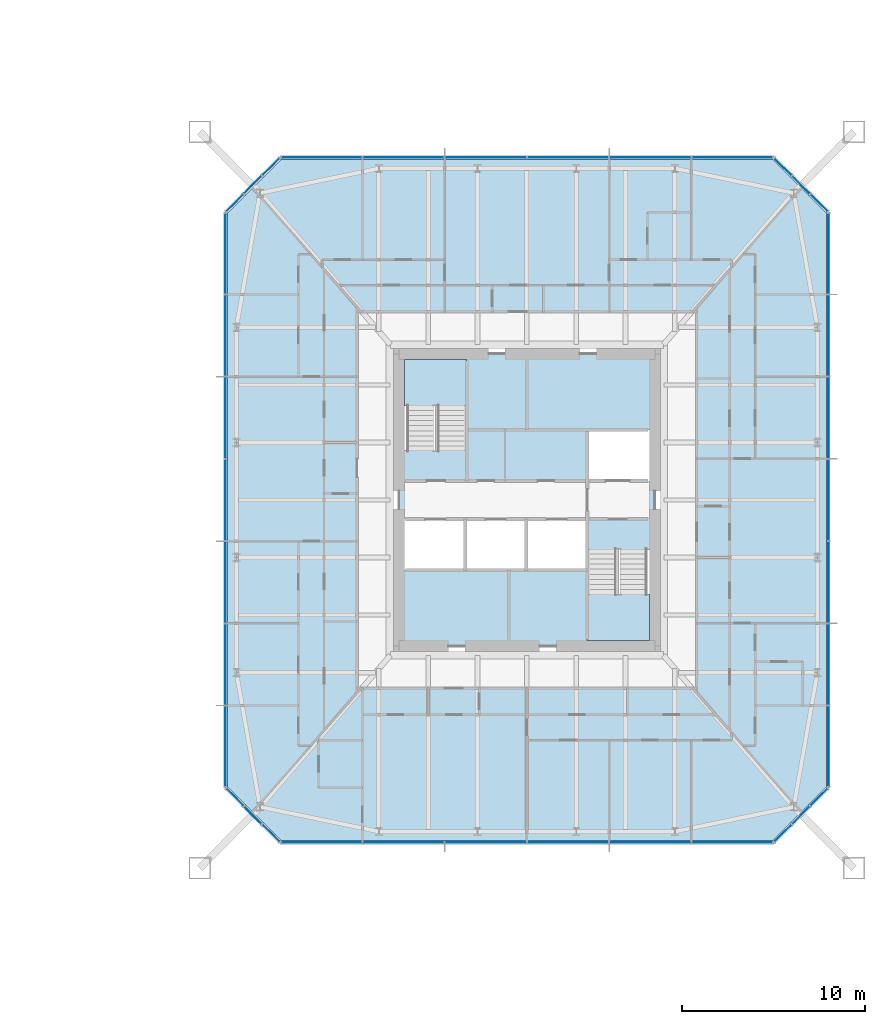
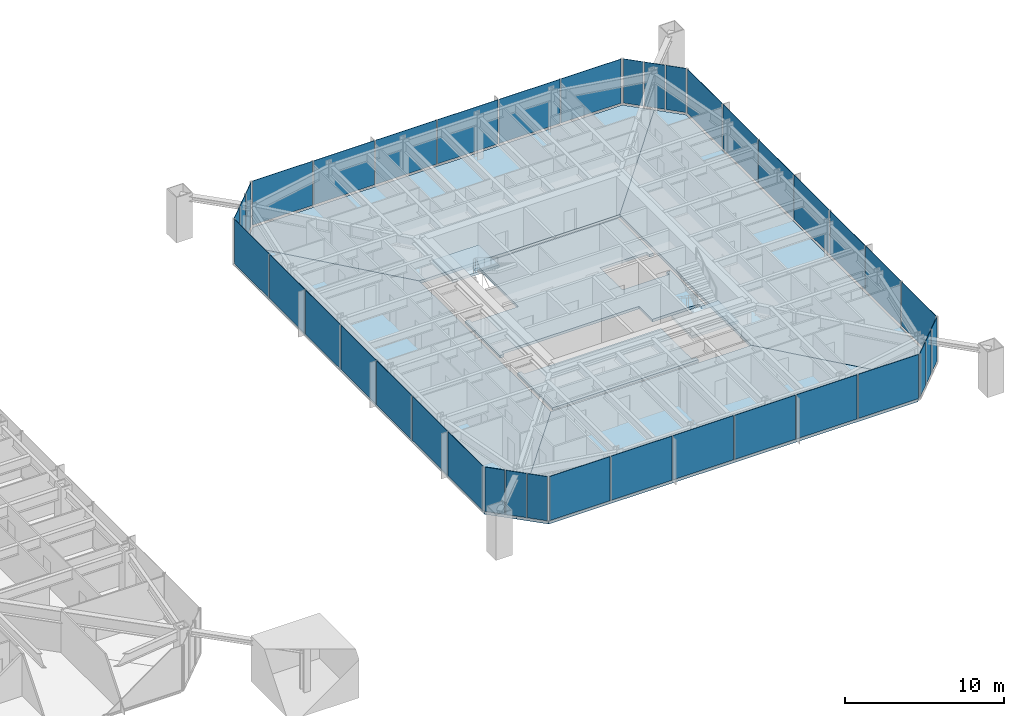
# One storey, part 13 of 26: 38 plates, 8 slabs, 10 elements without a shape of their own.
"""IFC4 building model written with IfcOpenShell, lengths in metres."""

from ifc_helpers import new_model, si_unit, direction, frame, origin, origin_2d, place, context, subcontext, project, spatial, polyline, rectangle, outline, extrude, material, layer, layer_set, constituent, constituent_set, type_object, element, aggregate, save


model = new_model("IFC4")

# Units and contexts
model_context = context("Model", 3, precision=1e-05, world=origin(), true_north=direction((0.0, 1.0)))
body_context = subcontext(model_context, "Body", "Model", "MODEL_VIEW")
ifc_project = project(units=[si_unit("LENGTHUNIT", "METRE"), si_unit("AREAUNIT", "SQUARE_METRE"), si_unit("VOLUMEUNIT", "CUBIC_METRE"), si_unit("PLANEANGLEUNIT", "RADIAN"), si_unit("MASSUNIT", "GRAM", prefix="KILO")], contexts=[model_context])

# Site, building, storey
site_placement = place(None, origin())
site = spatial("IfcSite", under=ifc_project, at=site_placement, CompositionType="ELEMENT")
building_placement = place(site_placement, origin())
building = spatial("IfcBuilding", under=site, at=building_placement, Name="Iwan Alto Co-Living Towers", CompositionType="ELEMENT")
storey_placement = place(building_placement, frame((0.0, 0.0, 32.5)))
storey = spatial("IfcBuildingStorey", under=building, at=storey_placement, Name="L08", CompositionType="ELEMENT", Elevation=32.5)

# Slabs
ifc_material_1 = material(Name="Concrete f'c 30 MPa", Category="concrete")
ifc_layer_1 = layer(ifc_material_1, 0.199951171875)
ifc_layer_set_1 = layer_set([ifc_layer_1], Name="CORE FLOOR SLAB 200")
slab_type_1 = type_object("IfcSlabType", Name="CORE FLOOR SLAB 200", PredefinedType="FLOOR", material=ifc_layer_set_1)
slab_1_placement = place(storey_placement, frame((0.0, 0.0, -0.199951171875)))
element("IfcSlab", 1, at=slab_1_placement, inside=storey, type_object=slab_type_1, Name="T2 core floor L08", PredefinedType="FLOOR", context=body_context, shape_type="SweptSolid", body=[
    extrude(outline(polyline([(70.0, -3.030029296875), (69.699951171875, -3.030029296875), (69.699951171875, -2.719970703125), (66.300048828125, -2.719970703125), (66.300048828125, -1.050048828125), (62.967041015625, -1.050048828125), (59.633056640625, -1.050048828125), (56.300048828125, -1.050048828125), (56.300048828125, -1.360107421875), (56.0, -1.360107421875), (56.0, 3.030029296875), (56.300048828125, 3.030029296875), (56.300048828125, 2.719970703125), (59.699951171875, 2.719970703125), (59.699951171875, 7.699951171875), (59.389892578125, 7.699951171875), (59.389892578125, 8.0), (70.0, 8.0), (70.0, 3.5400390625), (69.699951171875, 3.5400390625), (69.699951171875, 3.85009765625), (66.300048828125, 3.85009765625), (66.300048828125, 1.050048828125), (69.699951171875, 1.050048828125), (69.699951171875, 1.360107421875), (70.0, 1.360107421875), (70.0, -3.030029296875)])), origin(), (0.0, 0.0, 1.0), 0.199951171875),
])
slab_2_placement = place(storey_placement, frame((0.0, 0.0, -0.199951171875)))
element("IfcSlab", 2, at=slab_2_placement, inside=storey, type_object=slab_type_1, Name="T2 core floor L08", PredefinedType="FLOOR", context=body_context, shape_type="SweptSolid", body=[
    extrude(outline(polyline([(62.967041015625, -3.85009765625), (66.300048828125, -3.85009765625), (66.300048828125, -7.699951171875), (66.610107421875, -7.699951171875), (66.610107421875, -8.0), (56.0, -8.0), (56.0, -3.5400390625), (56.300048828125, -3.5400390625), (56.300048828125, -3.85009765625), (59.633056640625, -3.85009765625), (62.967041015625, -3.85009765625)])), origin(), (0.0, 0.0, 1.0), 0.199951171875),
])

# Curtain wall, plates
ifc_material_2 = material(Name="Bronze aluminium unitised frame", Category="aluminium")
curtain_wall_type_1 = type_object("IfcCurtainWallType", Name="CURTAIN WALL CW-C", PredefinedType="NOTDEFINED", material=ifc_material_2)
curtain_wall_1_placement = place(storey_placement, origin())
curtain_wall_1 = element("IfcCurtainWall", 3, at=curtain_wall_1_placement, inside=storey, type_object=curtain_wall_type_1, Name="T2 curtain wall S L08", PredefinedType="NOTDEFINED")
ifc_material_3 = material(Name="Bronze-tinted insulating glass", Category="glass")
ifc_layer_2 = layer(ifc_material_3, 0.031982421875)
ifc_layer_set_2 = layer_set([ifc_layer_2], Name="CW-C PANEL TINTED IGU 32")
plate_type_1 = type_object("IfcPlateType", Name="CW-C PANEL TINTED IGU 32", PredefinedType="CURTAIN_PANEL", material=ifc_layer_set_2)
plate_1_placement = place(storey_placement, frame((51.77001953125, -18.75, 0.10009765625), z_axis=(0.0, 0.0, 1.0), x_axis=(1.0, 0.0, 0.0)))
plate_1 = element("IfcPlate", 4, at=plate_1_placement, type_object=plate_type_1, Name="CW-C panel 1.1", PredefinedType="CURTAIN_PANEL", context=body_context, shape_type="SweptSolid", body=[
    extrude(rectangle(XDim=4.3798828125, YDim=0.031982421875, at=origin_2d()), origin(), (0.0, 0.0, 1.0), 3.39990234375),
])
plate_2_placement = place(storey_placement, frame((56.25, -18.75, 0.10009765625), z_axis=(0.0, 0.0, 1.0), x_axis=(1.0, 0.0, 0.0)))
plate_2 = element("IfcPlate", 5, at=plate_2_placement, type_object=plate_type_1, Name="CW-C panel 2.1", PredefinedType="CURTAIN_PANEL", context=body_context, shape_type="SweptSolid", body=[
    extrude(rectangle(XDim=4.419921875, YDim=0.031982421875, at=origin_2d()), origin(), (0.0, 0.0, 1.0), 3.39990234375),
])
plate_3_placement = place(storey_placement, frame((60.75, -18.75, 0.10009765625), z_axis=(0.0, 0.0, 1.0), x_axis=(1.0, 0.0, 0.0)))
plate_3 = element("IfcPlate", 6, at=plate_3_placement, type_object=plate_type_1, Name="CW-C panel 3.1", PredefinedType="CURTAIN_PANEL", context=body_context, shape_type="SweptSolid", body=[
    extrude(rectangle(XDim=4.419921875, YDim=0.031982421875, at=origin_2d()), origin(), (0.0, 0.0, 1.0), 3.39990234375),
])
plate_4_placement = place(storey_placement, frame((65.25, -18.75, 0.10009765625), z_axis=(0.0, 0.0, 1.0), x_axis=(1.0, 0.0, 0.0)))
plate_4 = element("IfcPlate", 7, at=plate_4_placement, type_object=plate_type_1, Name="CW-C panel 4.1", PredefinedType="CURTAIN_PANEL", context=body_context, shape_type="SweptSolid", body=[
    extrude(rectangle(XDim=4.419921875, YDim=0.031982421875, at=origin_2d()), origin(), (0.0, 0.0, 1.0), 3.39990234375),
])
plate_5_placement = place(storey_placement, frame((69.75, -18.75, 0.10009765625), z_axis=(0.0, 0.0, 1.0), x_axis=(1.0, 0.0, 0.0)))
plate_5 = element("IfcPlate", 8, at=plate_5_placement, type_object=plate_type_1, Name="CW-C panel 5.1", PredefinedType="CURTAIN_PANEL", context=body_context, shape_type="SweptSolid", body=[
    extrude(rectangle(XDim=4.419921875, YDim=0.031982421875, at=origin_2d()), origin(), (0.0, 0.0, 1.0), 3.39990234375),
])
plate_6_placement = place(storey_placement, frame((74.22998046875, -18.75, 0.10009765625), z_axis=(0.0, 0.0, 1.0), x_axis=(1.0, 0.0, 0.0)))
plate_6 = element("IfcPlate", 9, at=plate_6_placement, type_object=plate_type_1, Name="CW-C panel 6.1", PredefinedType="CURTAIN_PANEL", context=body_context, shape_type="SweptSolid", body=[
    extrude(rectangle(XDim=4.3798828125, YDim=0.031982421875, at=origin_2d()), origin(), (0.0, 0.0, 1.0), 3.39990234375),
])
aggregate(curtain_wall_1, [plate_1, plate_2, plate_3, plate_4, plate_5, plate_6])

curtain_wall_2_placement = place(storey_placement, origin())
curtain_wall_2 = element("IfcCurtainWall", 10, at=curtain_wall_2_placement, inside=storey, type_object=curtain_wall_type_1, Name="T2 curtain wall E L08", PredefinedType="NOTDEFINED")
plate_7_placement = place(storey_placement, frame((79.5, -13.47998046875, 0.10009765625), z_axis=(0.0, 0.0, 1.0), x_axis=(0.0, 1.0, 0.0)))
plate_7 = element("IfcPlate", 11, at=plate_7_placement, type_object=plate_type_1, Name="CW-C panel 1.1", PredefinedType="CURTAIN_PANEL", context=body_context, shape_type="SweptSolid", body=[
    extrude(rectangle(XDim=4.3798828125, YDim=0.031982421875, at=origin_2d()), origin(), (0.0, 0.0, 1.0), 3.39990234375),
])
plate_8_placement = place(storey_placement, frame((79.5, -9.0, 0.10009765625), z_axis=(0.0, 0.0, 1.0), x_axis=(0.0, 1.0, 0.0)))
plate_8 = element("IfcPlate", 12, at=plate_8_placement, type_object=plate_type_1, Name="CW-C panel 2.1", PredefinedType="CURTAIN_PANEL", context=body_context, shape_type="SweptSolid", body=[
    extrude(rectangle(XDim=4.419921875, YDim=0.031982421875, at=origin_2d()), origin(), (0.0, 0.0, 1.0), 3.39990234375),
])
plate_9_placement = place(storey_placement, frame((79.5, -4.5, 0.10009765625), z_axis=(0.0, 0.0, 1.0), x_axis=(0.0, 1.0, 0.0)))
plate_9 = element("IfcPlate", 13, at=plate_9_placement, type_object=plate_type_1, Name="CW-C panel 3.1", PredefinedType="CURTAIN_PANEL", context=body_context, shape_type="SweptSolid", body=[
    extrude(rectangle(XDim=4.419921875, YDim=0.031982421875, at=origin_2d()), origin(), (0.0, 0.0, 1.0), 3.39990234375),
])
plate_10_placement = place(storey_placement, frame((79.5, 0.0, 0.10009765625), z_axis=(0.0, 0.0, 1.0), x_axis=(0.0, 1.0, 0.0)))
plate_10 = element("IfcPlate", 14, at=plate_10_placement, type_object=plate_type_1, Name="CW-C panel 4.1", PredefinedType="CURTAIN_PANEL", context=body_context, shape_type="SweptSolid", body=[
    extrude(rectangle(XDim=4.419921875, YDim=0.031982421875, at=origin_2d()), origin(), (0.0, 0.0, 1.0), 3.39990234375),
])
plate_11_placement = place(storey_placement, frame((79.5, 4.5, 0.10009765625), z_axis=(0.0, 0.0, 1.0), x_axis=(0.0, 1.0, 0.0)))
plate_11 = element("IfcPlate", 15, at=plate_11_placement, type_object=plate_type_1, Name="CW-C panel 5.1", PredefinedType="CURTAIN_PANEL", context=body_context, shape_type="SweptSolid", body=[
    extrude(rectangle(XDim=4.419921875, YDim=0.031982421875, at=origin_2d()), origin(), (0.0, 0.0, 1.0), 3.39990234375),
])
plate_12_placement = place(storey_placement, frame((79.5, 9.0, 0.10009765625), z_axis=(0.0, 0.0, 1.0), x_axis=(0.0, 1.0, 0.0)))
plate_12 = element("IfcPlate", 16, at=plate_12_placement, type_object=plate_type_1, Name="CW-C panel 6.1", PredefinedType="CURTAIN_PANEL", context=body_context, shape_type="SweptSolid", body=[
    extrude(rectangle(XDim=4.419921875, YDim=0.031982421875, at=origin_2d()), origin(), (0.0, 0.0, 1.0), 3.39990234375),
])
plate_13_placement = place(storey_placement, frame((79.5, 13.47998046875, 0.10009765625), z_axis=(0.0, 0.0, 1.0), x_axis=(0.0, 1.0, 0.0)))
plate_13 = element("IfcPlate", 17, at=plate_13_placement, type_object=plate_type_1, Name="CW-C panel 7.1", PredefinedType="CURTAIN_PANEL", context=body_context, shape_type="SweptSolid", body=[
    extrude(rectangle(XDim=4.3798828125, YDim=0.031982421875, at=origin_2d()), origin(), (0.0, 0.0, 1.0), 3.39990234375),
])
aggregate(curtain_wall_2, [plate_7, plate_8, plate_9, plate_10, plate_11, plate_12, plate_13])

curtain_wall_3_placement = place(storey_placement, origin())
curtain_wall_3 = element("IfcCurtainWall", 18, at=curtain_wall_3_placement, inside=storey, type_object=curtain_wall_type_1, Name="T2 curtain wall N L08", PredefinedType="NOTDEFINED")
plate_14_placement = place(storey_placement, frame((74.22998046875, 18.75, 0.10009765625), z_axis=(0.0, 0.0, 1.0), x_axis=(-1.0, 0.0, 0.0)))
plate_14 = element("IfcPlate", 19, at=plate_14_placement, type_object=plate_type_1, Name="CW-C panel 1.1", PredefinedType="CURTAIN_PANEL", context=body_context, shape_type="SweptSolid", body=[
    extrude(rectangle(XDim=4.3798828125, YDim=0.031982421875, at=origin_2d()), origin(), (0.0, 0.0, 1.0), 3.39990234375),
])
plate_15_placement = place(storey_placement, frame((69.75, 18.75, 0.10009765625), z_axis=(0.0, 0.0, 1.0), x_axis=(-1.0, 0.0, 0.0)))
plate_15 = element("IfcPlate", 20, at=plate_15_placement, type_object=plate_type_1, Name="CW-C panel 2.1", PredefinedType="CURTAIN_PANEL", context=body_context, shape_type="SweptSolid", body=[
    extrude(rectangle(XDim=4.419921875, YDim=0.031982421875, at=origin_2d()), origin(), (0.0, 0.0, 1.0), 3.39990234375),
])
plate_16_placement = place(storey_placement, frame((65.25, 18.75, 0.10009765625), z_axis=(0.0, 0.0, 1.0), x_axis=(-1.0, 0.0, 0.0)))
plate_16 = element("IfcPlate", 21, at=plate_16_placement, type_object=plate_type_1, Name="CW-C panel 3.1", PredefinedType="CURTAIN_PANEL", context=body_context, shape_type="SweptSolid", body=[
    extrude(rectangle(XDim=4.419921875, YDim=0.031982421875, at=origin_2d()), origin(), (0.0, 0.0, 1.0), 3.39990234375),
])
plate_17_placement = place(storey_placement, frame((60.75, 18.75, 0.10009765625), z_axis=(0.0, 0.0, 1.0), x_axis=(-1.0, 0.0, 0.0)))
plate_17 = element("IfcPlate", 22, at=plate_17_placement, type_object=plate_type_1, Name="CW-C panel 4.1", PredefinedType="CURTAIN_PANEL", context=body_context, shape_type="SweptSolid", body=[
    extrude(rectangle(XDim=4.419921875, YDim=0.031982421875, at=origin_2d()), origin(), (0.0, 0.0, 1.0), 3.39990234375),
])
plate_18_placement = place(storey_placement, frame((56.25, 18.75, 0.10009765625), z_axis=(0.0, 0.0, 1.0), x_axis=(-1.0, 0.0, 0.0)))
plate_18 = element("IfcPlate", 23, at=plate_18_placement, type_object=plate_type_1, Name="CW-C panel 5.1", PredefinedType="CURTAIN_PANEL", context=body_context, shape_type="SweptSolid", body=[
    extrude(rectangle(XDim=4.419921875, YDim=0.031982421875, at=origin_2d()), origin(), (0.0, 0.0, 1.0), 3.39990234375),
])
plate_19_placement = place(storey_placement, frame((51.77001953125, 18.75, 0.10009765625), z_axis=(0.0, 0.0, 1.0), x_axis=(-1.0, 0.0, 0.0)))
plate_19 = element("IfcPlate", 24, at=plate_19_placement, type_object=plate_type_1, Name="CW-C panel 6.1", PredefinedType="CURTAIN_PANEL", context=body_context, shape_type="SweptSolid", body=[
    extrude(rectangle(XDim=4.3798828125, YDim=0.031982421875, at=origin_2d()), origin(), (0.0, 0.0, 1.0), 3.39990234375),
])
aggregate(curtain_wall_3, [plate_14, plate_15, plate_16, plate_17, plate_18, plate_19])

curtain_wall_4_placement = place(storey_placement, origin())
curtain_wall_4 = element("IfcCurtainWall", 25, at=curtain_wall_4_placement, inside=storey, type_object=curtain_wall_type_1, Name="T2 curtain wall W L08", PredefinedType="NOTDEFINED")
plate_20_placement = place(storey_placement, frame((46.5, 13.47998046875, 0.10009765625), z_axis=(0.0, 0.0, 1.0), x_axis=(0.0, -1.0, 0.0)))
plate_20 = element("IfcPlate", 26, at=plate_20_placement, type_object=plate_type_1, Name="CW-C panel 1.1", PredefinedType="CURTAIN_PANEL", context=body_context, shape_type="SweptSolid", body=[
    extrude(rectangle(XDim=4.3798828125, YDim=0.031982421875, at=origin_2d()), origin(), (0.0, 0.0, 1.0), 3.39990234375),
])
plate_21_placement = place(storey_placement, frame((46.5, 9.0, 0.10009765625), z_axis=(0.0, 0.0, 1.0), x_axis=(0.0, -1.0, 0.0)))
plate_21 = element("IfcPlate", 27, at=plate_21_placement, type_object=plate_type_1, Name="CW-C panel 2.1", PredefinedType="CURTAIN_PANEL", context=body_context, shape_type="SweptSolid", body=[
    extrude(rectangle(XDim=4.419921875, YDim=0.031982421875, at=origin_2d()), origin(), (0.0, 0.0, 1.0), 3.39990234375),
])
plate_22_placement = place(storey_placement, frame((46.5, 4.5, 0.10009765625), z_axis=(0.0, 0.0, 1.0), x_axis=(0.0, -1.0, 0.0)))
plate_22 = element("IfcPlate", 28, at=plate_22_placement, type_object=plate_type_1, Name="CW-C panel 3.1", PredefinedType="CURTAIN_PANEL", context=body_context, shape_type="SweptSolid", body=[
    extrude(rectangle(XDim=4.419921875, YDim=0.031982421875, at=origin_2d()), origin(), (0.0, 0.0, 1.0), 3.39990234375),
])
plate_23_placement = place(storey_placement, frame((46.5, 0.0, 0.10009765625), z_axis=(0.0, 0.0, 1.0), x_axis=(0.0, -1.0, 0.0)))
plate_23 = element("IfcPlate", 29, at=plate_23_placement, type_object=plate_type_1, Name="CW-C panel 4.1", PredefinedType="CURTAIN_PANEL", context=body_context, shape_type="SweptSolid", body=[
    extrude(rectangle(XDim=4.419921875, YDim=0.031982421875, at=origin_2d()), origin(), (0.0, 0.0, 1.0), 3.39990234375),
])
plate_24_placement = place(storey_placement, frame((46.5, -4.5, 0.10009765625), z_axis=(0.0, 0.0, 1.0), x_axis=(0.0, -1.0, 0.0)))
plate_24 = element("IfcPlate", 30, at=plate_24_placement, type_object=plate_type_1, Name="CW-C panel 5.1", PredefinedType="CURTAIN_PANEL", context=body_context, shape_type="SweptSolid", body=[
    extrude(rectangle(XDim=4.419921875, YDim=0.031982421875, at=origin_2d()), origin(), (0.0, 0.0, 1.0), 3.39990234375),
])
plate_25_placement = place(storey_placement, frame((46.5, -9.0, 0.10009765625), z_axis=(0.0, 0.0, 1.0), x_axis=(0.0, -1.0, 0.0)))
plate_25 = element("IfcPlate", 31, at=plate_25_placement, type_object=plate_type_1, Name="CW-C panel 6.1", PredefinedType="CURTAIN_PANEL", context=body_context, shape_type="SweptSolid", body=[
    extrude(rectangle(XDim=4.419921875, YDim=0.031982421875, at=origin_2d()), origin(), (0.0, 0.0, 1.0), 3.39990234375),
])
plate_26_placement = place(storey_placement, frame((46.5, -13.47998046875, 0.10009765625), z_axis=(0.0, 0.0, 1.0), x_axis=(0.0, -1.0, 0.0)))
plate_26 = element("IfcPlate", 32, at=plate_26_placement, type_object=plate_type_1, Name="CW-C panel 7.1", PredefinedType="CURTAIN_PANEL", context=body_context, shape_type="SweptSolid", body=[
    extrude(rectangle(XDim=4.3798828125, YDim=0.031982421875, at=origin_2d()), origin(), (0.0, 0.0, 1.0), 3.39990234375),
])
aggregate(curtain_wall_4, [plate_20, plate_21, plate_22, plate_23, plate_24, plate_25, plate_26])

ifc_material_4 = material(Name="Bronze aluminium unitised frame", Category="aluminium")
curtain_wall_type_2 = type_object("IfcCurtainWallType", Name="CURTAIN WALL CW-D", PredefinedType="NOTDEFINED", material=ifc_material_4)
curtain_wall_5_placement = place(storey_placement, origin())
curtain_wall_5 = element("IfcCurtainWall", 33, at=curtain_wall_5_placement, inside=storey, type_object=curtain_wall_type_2, Name="T2 chamfer curtain wall SE L08", PredefinedType="NOTDEFINED")
ifc_material_5 = material(Name="Bronze-tinted insulating glass", Category="glass")
ifc_layer_3 = layer(ifc_material_5, 0.031982421875)
ifc_layer_set_3 = layer_set([ifc_layer_3], Name="CW-D PANEL TINTED IGU 32")
plate_type_2 = type_object("IfcPlateType", Name="CW-D PANEL TINTED IGU 32", PredefinedType="CURTAIN_PANEL", material=ifc_layer_set_3)
plate_27_placement = place(storey_placement, frame((77.01416015625, -18.23583984375, 0.10009765625), z_axis=(0.0, 0.0, 1.0), x_axis=(0.707106781187, 0.707106781187, 0.0)))
plate_27 = element("IfcPlate", 34, at=plate_27_placement, type_object=plate_type_2, Name="CW-D panel 1.1", PredefinedType="CURTAIN_PANEL", context=body_context, shape_type="SweptSolid", body=[
    extrude(rectangle(XDim=1.294189453125, YDim=0.031982421875, at=origin_2d()), origin(), (0.0, 0.0, 1.0), 3.39990234375),
])
plate_28_placement = place(storey_placement, frame((78.0, -17.25, 0.10009765625), z_axis=(0.0, 0.0, 1.0), x_axis=(0.707106781187, 0.707106781187, 0.0)))
plate_28 = element("IfcPlate", 35, at=plate_28_placement, type_object=plate_type_2, Name="CW-D panel 2.1", PredefinedType="CURTAIN_PANEL", context=body_context, shape_type="SweptSolid", body=[
    extrude(rectangle(XDim=1.334228515625, YDim=0.031982421875, at=origin_2d()), origin(), (0.0, 0.0, 1.0), 3.39990234375),
])
plate_29_placement = place(storey_placement, frame((78.98583984375, -16.26416015625, 0.10009765625), z_axis=(0.0, 0.0, 1.0), x_axis=(0.707106781187, 0.707106781187, 0.0)))
plate_29 = element("IfcPlate", 36, at=plate_29_placement, type_object=plate_type_2, Name="CW-D panel 3.1", PredefinedType="CURTAIN_PANEL", context=body_context, shape_type="SweptSolid", body=[
    extrude(rectangle(XDim=1.294189453125, YDim=0.031982421875, at=origin_2d()), origin(), (0.0, 0.0, 1.0), 3.39990234375),
])
aggregate(curtain_wall_5, [plate_27, plate_28, plate_29])

curtain_wall_6_placement = place(storey_placement, origin())
curtain_wall_6 = element("IfcCurtainWall", 37, at=curtain_wall_6_placement, inside=storey, type_object=curtain_wall_type_2, Name="T2 chamfer curtain wall NE L08", PredefinedType="NOTDEFINED")
plate_30_placement = place(storey_placement, frame((78.98583984375, 16.26416015625, 0.10009765625), z_axis=(0.0, 0.0, 1.0), x_axis=(-0.707106781187, 0.707106781187, 0.0)))
plate_30 = element("IfcPlate", 38, at=plate_30_placement, type_object=plate_type_2, Name="CW-D panel 1.1", PredefinedType="CURTAIN_PANEL", context=body_context, shape_type="SweptSolid", body=[
    extrude(rectangle(XDim=1.294189453125, YDim=0.031982421875, at=origin_2d()), origin(), (0.0, 0.0, 1.0), 3.39990234375),
])
plate_31_placement = place(storey_placement, frame((78.0, 17.25, 0.10009765625), z_axis=(0.0, 0.0, 1.0), x_axis=(-0.707106781187, 0.707106781187, 0.0)))
plate_31 = element("IfcPlate", 39, at=plate_31_placement, type_object=plate_type_2, Name="CW-D panel 2.1", PredefinedType="CURTAIN_PANEL", context=body_context, shape_type="SweptSolid", body=[
    extrude(rectangle(XDim=1.334228515625, YDim=0.031982421875, at=origin_2d()), origin(), (0.0, 0.0, 1.0), 3.39990234375),
])
plate_32_placement = place(storey_placement, frame((77.01416015625, 18.23583984375, 0.10009765625), z_axis=(0.0, 0.0, 1.0), x_axis=(-0.707106781187, 0.707106781187, 0.0)))
plate_32 = element("IfcPlate", 40, at=plate_32_placement, type_object=plate_type_2, Name="CW-D panel 3.1", PredefinedType="CURTAIN_PANEL", context=body_context, shape_type="SweptSolid", body=[
    extrude(rectangle(XDim=1.294189453125, YDim=0.031982421875, at=origin_2d()), origin(), (0.0, 0.0, 1.0), 3.39990234375),
])
aggregate(curtain_wall_6, [plate_30, plate_31, plate_32])

curtain_wall_7_placement = place(storey_placement, origin())
curtain_wall_7 = element("IfcCurtainWall", 41, at=curtain_wall_7_placement, inside=storey, type_object=curtain_wall_type_2, Name="T2 chamfer curtain wall NW L08", PredefinedType="NOTDEFINED")
plate_33_placement = place(storey_placement, frame((48.98583984375, 18.23583984375, 0.10009765625), z_axis=(0.0, 0.0, 1.0), x_axis=(-0.707106781187, -0.707106781187, 0.0)))
plate_33 = element("IfcPlate", 42, at=plate_33_placement, type_object=plate_type_2, Name="CW-D panel 1.1", PredefinedType="CURTAIN_PANEL", context=body_context, shape_type="SweptSolid", body=[
    extrude(rectangle(XDim=1.294189453125, YDim=0.031982421875, at=origin_2d()), origin(), (0.0, 0.0, 1.0), 3.39990234375),
])
plate_34_placement = place(storey_placement, frame((48.0, 17.25, 0.10009765625), z_axis=(0.0, 0.0, 1.0), x_axis=(-0.707106781187, -0.707106781187, 0.0)))
plate_34 = element("IfcPlate", 43, at=plate_34_placement, type_object=plate_type_2, Name="CW-D panel 2.1", PredefinedType="CURTAIN_PANEL", context=body_context, shape_type="SweptSolid", body=[
    extrude(rectangle(XDim=1.334228515625, YDim=0.031982421875, at=origin_2d()), origin(), (0.0, 0.0, 1.0), 3.39990234375),
])
plate_35_placement = place(storey_placement, frame((47.01416015625, 16.26416015625, 0.10009765625), z_axis=(0.0, 0.0, 1.0), x_axis=(-0.707106781187, -0.707106781187, 0.0)))
plate_35 = element("IfcPlate", 44, at=plate_35_placement, type_object=plate_type_2, Name="CW-D panel 3.1", PredefinedType="CURTAIN_PANEL", context=body_context, shape_type="SweptSolid", body=[
    extrude(rectangle(XDim=1.294189453125, YDim=0.031982421875, at=origin_2d()), origin(), (0.0, 0.0, 1.0), 3.39990234375),
])
aggregate(curtain_wall_7, [plate_33, plate_34, plate_35])

curtain_wall_8_placement = place(storey_placement, origin())
curtain_wall_8 = element("IfcCurtainWall", 45, at=curtain_wall_8_placement, inside=storey, type_object=curtain_wall_type_2, Name="T2 chamfer curtain wall SW L08", PredefinedType="NOTDEFINED")
plate_36_placement = place(storey_placement, frame((47.01416015625, -16.26416015625, 0.10009765625), z_axis=(0.0, 0.0, 1.0), x_axis=(0.707106781187, -0.707106781187, 0.0)))
plate_36 = element("IfcPlate", 46, at=plate_36_placement, type_object=plate_type_2, Name="CW-D panel 1.1", PredefinedType="CURTAIN_PANEL", context=body_context, shape_type="SweptSolid", body=[
    extrude(rectangle(XDim=1.294189453125, YDim=0.031982421875, at=origin_2d()), origin(), (0.0, 0.0, 1.0), 3.39990234375),
])
plate_37_placement = place(storey_placement, frame((48.0, -17.25, 0.10009765625), z_axis=(0.0, 0.0, 1.0), x_axis=(0.707106781187, -0.707106781187, 0.0)))
plate_37 = element("IfcPlate", 47, at=plate_37_placement, type_object=plate_type_2, Name="CW-D panel 2.1", PredefinedType="CURTAIN_PANEL", context=body_context, shape_type="SweptSolid", body=[
    extrude(rectangle(XDim=1.334228515625, YDim=0.031982421875, at=origin_2d()), origin(), (0.0, 0.0, 1.0), 3.39990234375),
])
plate_38_placement = place(storey_placement, frame((48.98583984375, -18.23583984375, 0.10009765625), z_axis=(0.0, 0.0, 1.0), x_axis=(0.707106781187, -0.707106781187, 0.0)))
plate_38 = element("IfcPlate", 48, at=plate_38_placement, type_object=plate_type_2, Name="CW-D panel 3.1", PredefinedType="CURTAIN_PANEL", context=body_context, shape_type="SweptSolid", body=[
    extrude(rectangle(XDim=1.294189453125, YDim=0.031982421875, at=origin_2d()), origin(), (0.0, 0.0, 1.0), 3.39990234375),
])
aggregate(curtain_wall_8, [plate_36, plate_37, plate_38])

# Stair, slab
ifc_material_6 = material(Name="Steel ASTM A36", Category="steel")
ifc_constituent_1 = constituent(ifc_material_6, Name="Stringers", Category="LoadBearing")
ifc_material_7 = material(Name="Concrete f'c 30 MPa", Category="concrete")
ifc_constituent_2 = constituent(ifc_material_7, Name="Tread fill", Category="Finish")
ifc_constituent_set = constituent_set(constituents=[ifc_constituent_1, ifc_constituent_2], Name="STAIR 3500 TWO-FLIGHT T2 CORE")
stair_type = type_object("IfcStairType", Name="STAIR 3500 TWO-FLIGHT T2 CORE", PredefinedType="HALF_TURN_STAIR", material=ifc_constituent_set)
stair_1_placement = place(storey_placement, origin())
stair_1 = element("IfcStair", 49, at=stair_1_placement, inside=storey, type_object=stair_type, Name="Stair T2-S1 L08 to L09", PredefinedType="HALF_TURN_STAIR")
ifc_material_8 = material(Name="Concrete f'c 30 MPa", Category="concrete")
ifc_layer_4 = layer(ifc_material_8, 0.199951171875)
ifc_layer_set_4 = layer_set([ifc_layer_4], Name="STAIR LANDING 200")
slab_type_2 = type_object("IfcSlabType", Name="STAIR LANDING 200", PredefinedType="LANDING", material=ifc_layer_set_4)
slab_3_placement = place(storey_placement, frame((0.0, 0.0, 1.550048828125)))
slab_3 = element("IfcSlab", 50, at=slab_3_placement, type_object=slab_type_2, Name="T2-S1 landing 1", PredefinedType="LANDING", context=body_context, shape_type="SweptSolid", body=[
    extrude(outline(polyline([(56.300048828125, 5.139892578125), (56.300048828125, 7.699951171875), (59.699951171875, 7.699951171875), (59.699951171875, 5.139892578125), (56.300048828125, 5.139892578125)])), origin(), (0.0, 0.0, 1.0), 0.199951171875),
])
aggregate(stair_1, [slab_3])

stair_2_placement = place(storey_placement, origin())
stair_2 = element("IfcStair", 51, at=stair_2_placement, inside=storey, type_object=stair_type, Name="Stair T2-S2 L08 to L09", PredefinedType="HALF_TURN_STAIR")
slab_4_placement = place(storey_placement, frame((0.0, 0.0, 1.550048828125)))
slab_4 = element("IfcSlab", 52, at=slab_4_placement, type_object=slab_type_2, Name="T2-S2 landing 1", PredefinedType="LANDING", context=body_context, shape_type="SweptSolid", body=[
    extrude(outline(polyline([(66.300048828125, -5.139892578125), (66.300048828125, -7.699951171875), (69.699951171875, -7.699951171875), (69.699951171875, -5.139892578125), (66.300048828125, -5.139892578125)])), origin(), (0.0, 0.0, 1.0), 0.199951171875),
])
aggregate(stair_2, [slab_4])

# Slabs
ifc_material_9 = material(Name="Concrete f'c 30 MPa", Category="concrete")
ifc_layer_5 = layer(ifc_material_9, 0.22998046875)
ifc_layer_set_5 = layer_set([ifc_layer_5], Name="T2 FLOOR SLAB 230")
slab_type_3 = type_object("IfcSlabType", Name="T2 FLOOR SLAB 230", PredefinedType="FLOOR", material=ifc_layer_set_5)
slab_5_placement = place(storey_placement, frame((0.0, 0.0, -0.22998046875)))
element("IfcSlab", 53, at=slab_5_placement, inside=storey, type_object=slab_type_3, Name="T2 floor slab L08 S pour", PredefinedType="FLOOR", context=body_context, shape_type="SweptSolid", body=[
    extrude(outline(polyline([(76.44140625, -18.64990234375), (49.55859375, -18.64990234375), (48.07568359375, -17.1669921875), (55.699951171875, -8.300048828125), (70.300048828125, -8.300048828125), (77.92431640625, -17.1669921875), (76.44140625, -18.64990234375)])), origin(), (0.0, 0.0, 1.0), 0.22998046875),
])
slab_6_placement = place(storey_placement, frame((0.0, 0.0, -0.22998046875)))
element("IfcSlab", 54, at=slab_6_placement, inside=storey, type_object=slab_type_3, Name="T2 floor slab L08 E pour", PredefinedType="FLOOR", context=body_context, shape_type="SweptSolid", body=[
    extrude(outline(polyline([(79.39990234375, 15.69140625), (79.39990234375, -15.69140625), (77.92431640625, -17.1669921875), (70.300048828125, -8.300048828125), (70.300048828125, 8.300048828125), (77.92431640625, 17.1669921875), (79.39990234375, 15.69140625)])), origin(), (0.0, 0.0, 1.0), 0.22998046875),
])
slab_7_placement = place(storey_placement, frame((0.0, 0.0, -0.22998046875)))
element("IfcSlab", 55, at=slab_7_placement, inside=storey, type_object=slab_type_3, Name="T2 floor slab L08 N pour", PredefinedType="FLOOR", context=body_context, shape_type="SweptSolid", body=[
    extrude(outline(polyline([(49.55859375, 18.64990234375), (76.44140625, 18.64990234375), (77.92431640625, 17.1669921875), (70.300048828125, 8.300048828125), (55.699951171875, 8.300048828125), (48.07568359375, 17.1669921875), (49.55859375, 18.64990234375)])), origin(), (0.0, 0.0, 1.0), 0.22998046875),
])
slab_8_placement = place(storey_placement, frame((0.0, 0.0, -0.22998046875)))
element("IfcSlab", 56, at=slab_8_placement, inside=storey, type_object=slab_type_3, Name="T2 floor slab L08 W pour", PredefinedType="FLOOR", context=body_context, shape_type="SweptSolid", body=[
    extrude(outline(polyline([(46.60009765625, 15.69140625), (48.07568359375, 17.1669921875), (55.699951171875, 8.300048828125), (55.699951171875, -8.300048828125), (48.07568359375, -17.1669921875), (46.60009765625, -15.69140625), (46.60009765625, 15.69140625)])), origin(), (0.0, 0.0, 1.0), 0.22998046875),
])

save(model, "model.ifc")
